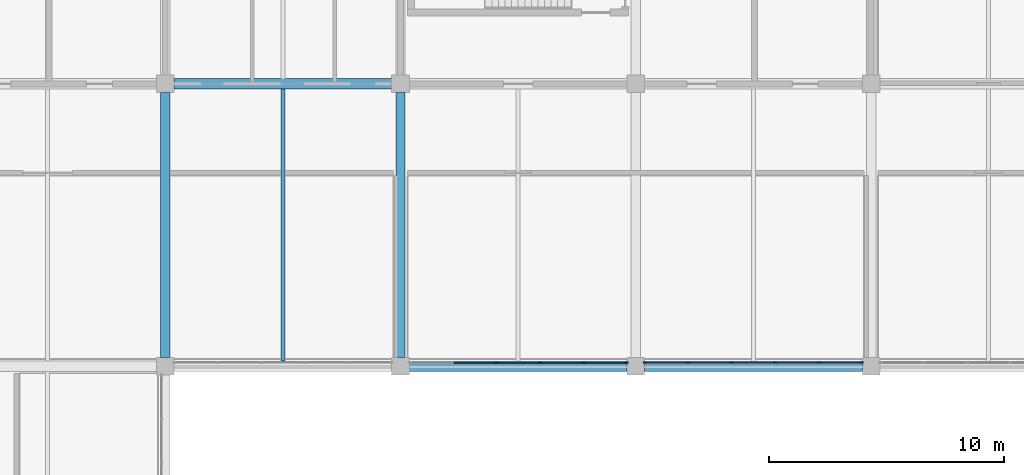
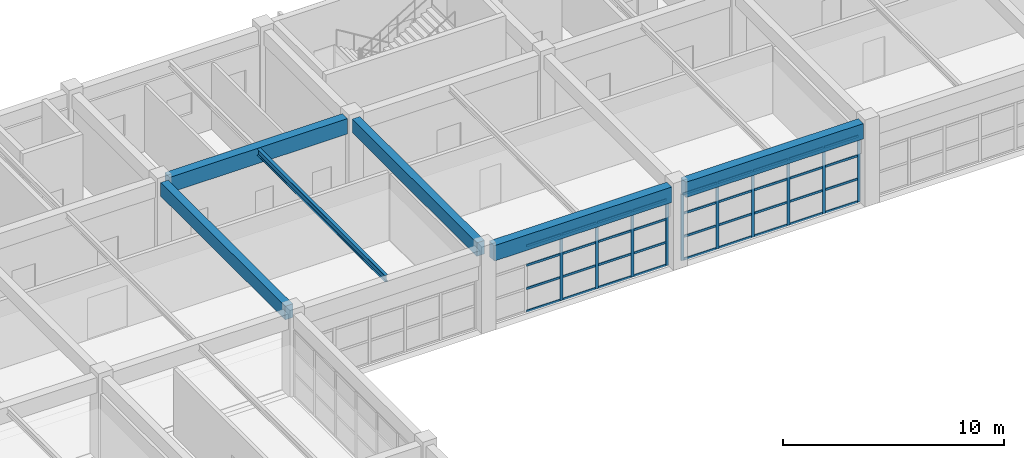
# One storey, part 57 of 109: 46 members, 6 beams, 2 elements without a shape of their own.
"""IFC4 building model written with IfcOpenShell, lengths in metres."""

from ifc_helpers import new_model, si_unit, direction, frame, origin, origin_2d, place, context, subcontext, project, spatial, rectangle, i_section, extrude, material, layer, layer_set, material_profile, profile_set, type_object, element, aggregate, save


model = new_model("IFC4")

# Units and contexts
model_context = context("Model", 3, precision=1e-05, world=origin(), true_north=direction((0.0, 1.0)))
body_context = subcontext(model_context, "Body", "Model", "MODEL_VIEW")
ifc_project = project(units=[si_unit("LENGTHUNIT", "METRE"), si_unit("AREAUNIT", "SQUARE_METRE"), si_unit("VOLUMEUNIT", "CUBIC_METRE"), si_unit("PLANEANGLEUNIT", "RADIAN"), si_unit("MASSUNIT", "GRAM", prefix="KILO")], contexts=[model_context])

# Site, building, storey
site_placement = place(None, origin())
site = spatial("IfcSite", under=ifc_project, at=site_placement, CompositionType="ELEMENT")
building_placement = place(site_placement, origin())
building = spatial("IfcBuilding", under=site, at=building_placement, Name="Kivolera Central Railway Station", CompositionType="ELEMENT")
storey_placement = place(building_placement, frame((0.0, 0.0, 9.60009765625)))
storey = spatial("IfcBuildingStorey", under=building, at=storey_placement, Name="L02", CompositionType="ELEMENT", Elevation=9.60009765625)

# Beams
ifc_material_1 = material(Name="Steel S355", Category="steel")
ifc_material_profile_1 = material_profile(ifc_material_1, i_section(OverallWidth=0.169921875, OverallDepth=0.360107421875, WebThickness=0.008056640625, FlangeThickness=0.0126953125, FilletRadius=0.01806640625, at=origin_2d()), Name="IPE 360")
ifc_profile_set_1 = profile_set([ifc_material_profile_1], Name="Steel S355")
beam_type_1 = type_object("IfcBeamType", Name="BM-JST-IPE360", PredefinedType="JOIST", material=ifc_profile_set_1)
beam_placement = place(storey_placement, frame((143.0, 114.217041015625, 4.327880859375), z_axis=(0.0, 1.0, 0.0), x_axis=(-1.0, 0.0, 0.0)))
element("IfcBeam", 1, at=beam_placement, inside=storey, type_object=beam_type_1, Name="L02 Floor Joist 14-15/K-L", PredefinedType="JOIST", context=body_context, shape_type="SweptSolid", body=[
    extrude(i_section(OverallWidth=0.169921875, OverallDepth=0.360107421875, WebThickness=0.008056640625, FlangeThickness=0.0126953125, FilletRadius=0.01806640625, at=origin_2d()), origin(), (0.0, 0.0, 1.0), 11.56591796875),
])
ifc_material_2 = material(Name="Concrete C40/50", Category="concrete")
ifc_material_profile_2 = material_profile(ifc_material_2, rectangle(XDim=0.39990234375, YDim=0.75, at=origin_2d()), Name="RC 400x750")
ifc_profile_set_2 = profile_set([ifc_material_profile_2], Name="Concrete C40/50")
beam_type_2 = type_object("IfcBeamType", Name="BM-RC-400x750", PredefinedType="BEAM", material=ifc_profile_set_2)
for number, where, z_axis, x_axis, name in (
    (2, (138.0, 114.366943359375, 4.14501953125), (0.0, 1.0, 0.0), (-1.0, 0.0, 0.0), "L02 Wing Y-Beam 14:K-L"),
    (3, (148.0, 114.366943359375, 4.14501953125), (0.0, 1.0, 0.0), (-1.0, 0.0, 0.0), "L02 Wing Y-Beam 15:K-L"),
):
    element("IfcBeam", number, at=place(storey_placement, frame(where, z_axis=z_axis, x_axis=x_axis)), inside=storey, type_object=beam_type_2, Name=name, PredefinedType="BEAM", context=body_context, shape_type="SweptSolid", body=[
        extrude(rectangle(XDim=0.39990234375, YDim=0.75, at=origin_2d()), origin(), (0.0, 0.0, 1.0), 11.26611328125),
    ])
ifc_material_profile_3 = material_profile(ifc_material_2, rectangle(XDim=0.449951171875, YDim=0.85009765625, at=origin_2d()), Name="RC 450x850")
ifc_profile_set_3 = profile_set([ifc_material_profile_3], Name="Concrete C40/50")
beam_type_3 = type_object("IfcBeamType", Name="BM-RC-450x850", PredefinedType="BEAM", material=ifc_profile_set_3)
for number, where, z_axis, x_axis, name in (
    (4, (148.366943359375, 114.0, 4.094970703125), (1.0, 0.0, 0.0), (0.0, 1.0, 0.0), "L02 Wing X-Beam K:15-16"),
    (5, (158.366943359375, 114.0, 4.094970703125), (1.0, 0.0, 0.0), (0.0, 1.0, 0.0), "L02 Wing X-Beam K:16-17"),
    (6, (138.366943359375, 126.0, 4.094970703125), (1.0, 0.0, 0.0), (0.0, 1.0, 0.0), "L02 Wing X-Beam L:14-15"),
):
    element("IfcBeam", number, at=place(storey_placement, frame(where, z_axis=z_axis, x_axis=x_axis)), inside=storey, type_object=beam_type_3, Name=name, PredefinedType="BEAM", context=body_context, shape_type="SweptSolid", body=[
        extrude(rectangle(XDim=0.449951171875, YDim=0.85009765625, at=origin_2d()), origin(), (0.0, 0.0, 1.0), 9.26611328125),
    ])

# Curtain wall, members
ifc_material_3 = material(Name="Anodised aluminium", Category="aluminium")
ifc_layer = layer(ifc_material_3, 0.179931640625, Name="Anodised aluminium")
ifc_layer_set = layer_set([ifc_layer], Name="Anodised aluminium")
curtain_wall_type = type_object("IfcCurtainWallType", Name="CW-SYS-27", PredefinedType="NOTDEFINED", material=ifc_layer_set)
curtain_wall_1_placement = place(storey_placement, origin())
curtain_wall_1 = element("IfcCurtainWall", 7, at=curtain_wall_1_placement, inside=storey, type_object=curtain_wall_type, Name="L02 Curtain Wall CW-L02-CRTN-148", PredefinedType="NOTDEFINED")
ifc_material_profile_4 = material_profile(ifc_material_3, rectangle(XDim=0.06005859375, YDim=0.14990234375, at=origin_2d()), Name="ALU MULL 60x150")
ifc_profile_set_4 = profile_set([ifc_material_profile_4], Name="Anodised aluminium")
member_type_1 = type_object("IfcMemberType", Name="CWM-MUL-2", PredefinedType="MULLION", material=ifc_profile_set_4)
member_1_placement = place(storey_placement, frame((157.60009765625, 114.153076171875, -0.005126953125), z_axis=(0.0, 0.0, 1.0), x_axis=(0.0, -1.0, 0.0)))
member_1 = element("IfcMember", 8, at=member_1_placement, type_object=member_type_1, Name="CW-27 mullion 1", PredefinedType="MULLION", context=body_context, shape_type="SweptSolid", body=[
    extrude(rectangle(XDim=0.06005859375, YDim=0.14990234375, at=origin_2d()), origin(), (0.0, 0.0, 1.0), 3.6630859375),
])
member_2_placement = place(storey_placement, frame((155.778076171875, 114.153076171875, -0.005126953125), z_axis=(0.0, 0.0, 1.0), x_axis=(0.0, -1.0, 0.0)))
member_2 = element("IfcMember", 9, at=member_2_placement, type_object=member_type_1, Name="CW-27 mullion 2", PredefinedType="MULLION", context=body_context, shape_type="SweptSolid", body=[
    extrude(rectangle(XDim=0.06005859375, YDim=0.14990234375, at=origin_2d()), origin(), (0.0, 0.0, 1.0), 3.6630859375),
])
member_3_placement = place(storey_placement, frame((153.926025390625, 114.153076171875, -0.005126953125), z_axis=(0.0, 0.0, 1.0), x_axis=(0.0, -1.0, 0.0)))
member_3 = element("IfcMember", 10, at=member_3_placement, type_object=member_type_1, Name="CW-27 mullion 3", PredefinedType="MULLION", context=body_context, shape_type="SweptSolid", body=[
    extrude(rectangle(XDim=0.06005859375, YDim=0.14990234375, at=origin_2d()), origin(), (0.0, 0.0, 1.0), 3.6630859375),
])
member_4_placement = place(storey_placement, frame((152.073974609375, 114.153076171875, -0.005126953125), z_axis=(0.0, 0.0, 1.0), x_axis=(0.0, -1.0, 0.0)))
member_4 = element("IfcMember", 11, at=member_4_placement, type_object=member_type_1, Name="CW-27 mullion 4", PredefinedType="MULLION", context=body_context, shape_type="SweptSolid", body=[
    extrude(rectangle(XDim=0.06005859375, YDim=0.14990234375, at=origin_2d()), origin(), (0.0, 0.0, 1.0), 3.6630859375),
])

curtain_wall_2_placement = place(storey_placement, origin())
curtain_wall_2 = element("IfcCurtainWall", 12, at=curtain_wall_2_placement, inside=storey, type_object=curtain_wall_type, Name="L02 Curtain Wall CW-L02-CRTN-158", PredefinedType="NOTDEFINED")
member_5_placement = place(storey_placement, frame((167.60009765625, 114.153076171875, -0.005126953125), z_axis=(0.0, 0.0, 1.0), x_axis=(0.0, -1.0, 0.0)))
member_5 = element("IfcMember", 13, at=member_5_placement, type_object=member_type_1, Name="CW-27 mullion 1", PredefinedType="MULLION", context=body_context, shape_type="SweptSolid", body=[
    extrude(rectangle(XDim=0.06005859375, YDim=0.14990234375, at=origin_2d()), origin(), (0.0, 0.0, 1.0), 3.6630859375),
])
member_6_placement = place(storey_placement, frame((165.778076171875, 114.153076171875, -0.005126953125), z_axis=(0.0, 0.0, 1.0), x_axis=(0.0, -1.0, 0.0)))
member_6 = element("IfcMember", 14, at=member_6_placement, type_object=member_type_1, Name="CW-27 mullion 2", PredefinedType="MULLION", context=body_context, shape_type="SweptSolid", body=[
    extrude(rectangle(XDim=0.06005859375, YDim=0.14990234375, at=origin_2d()), origin(), (0.0, 0.0, 1.0), 3.6630859375),
])
member_7_placement = place(storey_placement, frame((163.926025390625, 114.153076171875, -0.005126953125), z_axis=(0.0, 0.0, 1.0), x_axis=(0.0, -1.0, 0.0)))
member_7 = element("IfcMember", 15, at=member_7_placement, type_object=member_type_1, Name="CW-27 mullion 3", PredefinedType="MULLION", context=body_context, shape_type="SweptSolid", body=[
    extrude(rectangle(XDim=0.06005859375, YDim=0.14990234375, at=origin_2d()), origin(), (0.0, 0.0, 1.0), 3.6630859375),
])
member_8_placement = place(storey_placement, frame((162.073974609375, 114.153076171875, -0.005126953125), z_axis=(0.0, 0.0, 1.0), x_axis=(0.0, -1.0, 0.0)))
member_8 = element("IfcMember", 16, at=member_8_placement, type_object=member_type_1, Name="CW-27 mullion 4", PredefinedType="MULLION", context=body_context, shape_type="SweptSolid", body=[
    extrude(rectangle(XDim=0.06005859375, YDim=0.14990234375, at=origin_2d()), origin(), (0.0, 0.0, 1.0), 3.6630859375),
])
member_9_placement = place(storey_placement, frame((160.221923828125, 114.153076171875, -0.005126953125), z_axis=(0.0, 0.0, 1.0), x_axis=(0.0, -1.0, 0.0)))
member_9 = element("IfcMember", 17, at=member_9_placement, type_object=member_type_1, Name="CW-27 mullion 5", PredefinedType="MULLION", context=body_context, shape_type="SweptSolid", body=[
    extrude(rectangle(XDim=0.06005859375, YDim=0.14990234375, at=origin_2d()), origin(), (0.0, 0.0, 1.0), 3.6630859375),
])
member_10_placement = place(storey_placement, frame((158.39990234375, 114.153076171875, -0.005126953125), z_axis=(0.0, 0.0, 1.0), x_axis=(0.0, -1.0, 0.0)))
member_10 = element("IfcMember", 18, at=member_10_placement, type_object=member_type_1, Name="CW-27 mullion 6", PredefinedType="MULLION", context=body_context, shape_type="SweptSolid", body=[
    extrude(rectangle(XDim=0.06005859375, YDim=0.14990234375, at=origin_2d()), origin(), (0.0, 0.0, 1.0), 3.6630859375),
])

# Member
ifc_material_profile_5 = material_profile(ifc_material_3, rectangle(XDim=0.06005859375, YDim=0.1201171875, at=origin_2d()), Name="ALU TRAN 60x120")
ifc_profile_set_5 = profile_set([ifc_material_profile_5], Name="Anodised aluminium")
member_type_2 = type_object("IfcMemberType", Name="CWM-TRN-2", PredefinedType="USERDEFINED", material=ifc_profile_set_5)
member_11_placement = place(storey_placement, frame((157.570068359375, 114.153076171875, 0.02978515625), z_axis=(-1.0, 0.0, 0.0), x_axis=(0.0, -1.0, 0.0)))
member_11 = element("IfcMember", 19, at=member_11_placement, type_object=member_type_2, Name="CW-27 transom 1.1", ObjectType="TRANSOM", PredefinedType="USERDEFINED", context=body_context, shape_type="SweptSolid", body=[
    extrude(rectangle(XDim=0.06005859375, YDim=0.1201171875, at=origin_2d()), origin(), (0.0, 0.0, 1.0), 1.761962890625),
])

member_12_placement = place(storey_placement, frame((157.570068359375, 114.153076171875, 1.2802734375), z_axis=(-1.0, 0.0, 0.0), x_axis=(0.0, -1.0, 0.0)))
member_12 = element("IfcMember", 20, at=member_12_placement, type_object=member_type_2, Name="CW-27 transom 1.2", ObjectType="TRANSOM", PredefinedType="USERDEFINED", context=body_context, shape_type="SweptSolid", body=[
    extrude(rectangle(XDim=0.06005859375, YDim=0.1201171875, at=origin_2d()), origin(), (0.0, 0.0, 1.0), 1.761962890625),
])

member_13_placement = place(storey_placement, frame((157.570068359375, 114.153076171875, 2.560546875), z_axis=(-1.0, 0.0, 0.0), x_axis=(0.0, -1.0, 0.0)))
member_13 = element("IfcMember", 21, at=member_13_placement, type_object=member_type_2, Name="CW-27 transom 1.3", ObjectType="TRANSOM", PredefinedType="USERDEFINED", context=body_context, shape_type="SweptSolid", body=[
    extrude(rectangle(XDim=0.06005859375, YDim=0.1201171875, at=origin_2d()), origin(), (0.0, 0.0, 1.0), 1.761962890625),
])

member_14_placement = place(storey_placement, frame((157.570068359375, 114.153076171875, 3.6279296875), z_axis=(-1.0, 0.0, 0.0), x_axis=(0.0, -1.0, 0.0)))
member_14 = element("IfcMember", 22, at=member_14_placement, type_object=member_type_2, Name="CW-27 transom 1.4", ObjectType="TRANSOM", PredefinedType="USERDEFINED", context=body_context, shape_type="SweptSolid", body=[
    extrude(rectangle(XDim=0.06005859375, YDim=0.1201171875, at=origin_2d()), origin(), (0.0, 0.0, 1.0), 1.761962890625),
])

member_15_placement = place(storey_placement, frame((155.748046875, 114.153076171875, 0.02978515625), z_axis=(-1.0, 0.0, 0.0), x_axis=(0.0, -1.0, 0.0)))
member_15 = element("IfcMember", 23, at=member_15_placement, type_object=member_type_2, Name="CW-27 transom 2.1", ObjectType="TRANSOM", PredefinedType="USERDEFINED", context=body_context, shape_type="SweptSolid", body=[
    extrude(rectangle(XDim=0.06005859375, YDim=0.1201171875, at=origin_2d()), origin(), (0.0, 0.0, 1.0), 1.7919921875),
])

member_16_placement = place(storey_placement, frame((155.748046875, 114.153076171875, 1.2802734375), z_axis=(-1.0, 0.0, 0.0), x_axis=(0.0, -1.0, 0.0)))
member_16 = element("IfcMember", 24, at=member_16_placement, type_object=member_type_2, Name="CW-27 transom 2.2", ObjectType="TRANSOM", PredefinedType="USERDEFINED", context=body_context, shape_type="SweptSolid", body=[
    extrude(rectangle(XDim=0.06005859375, YDim=0.1201171875, at=origin_2d()), origin(), (0.0, 0.0, 1.0), 1.7919921875),
])

member_17_placement = place(storey_placement, frame((155.748046875, 114.153076171875, 2.560546875), z_axis=(-1.0, 0.0, 0.0), x_axis=(0.0, -1.0, 0.0)))
member_17 = element("IfcMember", 25, at=member_17_placement, type_object=member_type_2, Name="CW-27 transom 2.3", ObjectType="TRANSOM", PredefinedType="USERDEFINED", context=body_context, shape_type="SweptSolid", body=[
    extrude(rectangle(XDim=0.06005859375, YDim=0.1201171875, at=origin_2d()), origin(), (0.0, 0.0, 1.0), 1.7919921875),
])

member_18_placement = place(storey_placement, frame((155.748046875, 114.153076171875, 3.6279296875), z_axis=(-1.0, 0.0, 0.0), x_axis=(0.0, -1.0, 0.0)))
member_18 = element("IfcMember", 26, at=member_18_placement, type_object=member_type_2, Name="CW-27 transom 2.4", ObjectType="TRANSOM", PredefinedType="USERDEFINED", context=body_context, shape_type="SweptSolid", body=[
    extrude(rectangle(XDim=0.06005859375, YDim=0.1201171875, at=origin_2d()), origin(), (0.0, 0.0, 1.0), 1.7919921875),
])

member_19_placement = place(storey_placement, frame((153.89599609375, 114.153076171875, 0.02978515625), z_axis=(-1.0, 0.0, 0.0), x_axis=(0.0, -1.0, 0.0)))
member_19 = element("IfcMember", 27, at=member_19_placement, type_object=member_type_2, Name="CW-27 transom 3.1", ObjectType="TRANSOM", PredefinedType="USERDEFINED", context=body_context, shape_type="SweptSolid", body=[
    extrude(rectangle(XDim=0.06005859375, YDim=0.1201171875, at=origin_2d()), origin(), (0.0, 0.0, 1.0), 1.7919921875),
])

member_20_placement = place(storey_placement, frame((153.89599609375, 114.153076171875, 1.2802734375), z_axis=(-1.0, 0.0, 0.0), x_axis=(0.0, -1.0, 0.0)))
member_20 = element("IfcMember", 28, at=member_20_placement, type_object=member_type_2, Name="CW-27 transom 3.2", ObjectType="TRANSOM", PredefinedType="USERDEFINED", context=body_context, shape_type="SweptSolid", body=[
    extrude(rectangle(XDim=0.06005859375, YDim=0.1201171875, at=origin_2d()), origin(), (0.0, 0.0, 1.0), 1.7919921875),
])

member_21_placement = place(storey_placement, frame((153.89599609375, 114.153076171875, 2.560546875), z_axis=(-1.0, 0.0, 0.0), x_axis=(0.0, -1.0, 0.0)))
member_21 = element("IfcMember", 29, at=member_21_placement, type_object=member_type_2, Name="CW-27 transom 3.3", ObjectType="TRANSOM", PredefinedType="USERDEFINED", context=body_context, shape_type="SweptSolid", body=[
    extrude(rectangle(XDim=0.06005859375, YDim=0.1201171875, at=origin_2d()), origin(), (0.0, 0.0, 1.0), 1.7919921875),
])

member_22_placement = place(storey_placement, frame((153.89599609375, 114.153076171875, 3.6279296875), z_axis=(-1.0, 0.0, 0.0), x_axis=(0.0, -1.0, 0.0)))
member_22 = element("IfcMember", 30, at=member_22_placement, type_object=member_type_2, Name="CW-27 transom 3.4", ObjectType="TRANSOM", PredefinedType="USERDEFINED", context=body_context, shape_type="SweptSolid", body=[
    extrude(rectangle(XDim=0.06005859375, YDim=0.1201171875, at=origin_2d()), origin(), (0.0, 0.0, 1.0), 1.7919921875),
])

member_23_placement = place(storey_placement, frame((152.0439453125, 114.153076171875, 0.02978515625), z_axis=(-1.0, 0.0, 0.0), x_axis=(0.0, -1.0, 0.0)))
member_23 = element("IfcMember", 31, at=member_23_placement, type_object=member_type_2, Name="CW-27 transom 4.1", ObjectType="TRANSOM", PredefinedType="USERDEFINED", context=body_context, shape_type="SweptSolid", body=[
    extrude(rectangle(XDim=0.06005859375, YDim=0.1201171875, at=origin_2d()), origin(), (0.0, 0.0, 1.0), 1.7919921875),
])

member_24_placement = place(storey_placement, frame((152.0439453125, 114.153076171875, 1.2802734375), z_axis=(-1.0, 0.0, 0.0), x_axis=(0.0, -1.0, 0.0)))
member_24 = element("IfcMember", 32, at=member_24_placement, type_object=member_type_2, Name="CW-27 transom 4.2", ObjectType="TRANSOM", PredefinedType="USERDEFINED", context=body_context, shape_type="SweptSolid", body=[
    extrude(rectangle(XDim=0.06005859375, YDim=0.1201171875, at=origin_2d()), origin(), (0.0, 0.0, 1.0), 1.7919921875),
])

member_25_placement = place(storey_placement, frame((152.0439453125, 114.153076171875, 2.560546875), z_axis=(-1.0, 0.0, 0.0), x_axis=(0.0, -1.0, 0.0)))
member_25 = element("IfcMember", 33, at=member_25_placement, type_object=member_type_2, Name="CW-27 transom 4.3", ObjectType="TRANSOM", PredefinedType="USERDEFINED", context=body_context, shape_type="SweptSolid", body=[
    extrude(rectangle(XDim=0.06005859375, YDim=0.1201171875, at=origin_2d()), origin(), (0.0, 0.0, 1.0), 1.7919921875),
])

member_26_placement = place(storey_placement, frame((152.0439453125, 114.153076171875, 3.6279296875), z_axis=(-1.0, 0.0, 0.0), x_axis=(0.0, -1.0, 0.0)))
member_26 = element("IfcMember", 34, at=member_26_placement, type_object=member_type_2, Name="CW-27 transom 4.4", ObjectType="TRANSOM", PredefinedType="USERDEFINED", context=body_context, shape_type="SweptSolid", body=[
    extrude(rectangle(XDim=0.06005859375, YDim=0.1201171875, at=origin_2d()), origin(), (0.0, 0.0, 1.0), 1.7919921875),
])

aggregate(curtain_wall_1, [member_1, member_2, member_3, member_4, member_11, member_12, member_13, member_14, member_15, member_16, member_17, member_18, member_19, member_20, member_21, member_22, member_23, member_24, member_25, member_26])

member_27_placement = place(storey_placement, frame((167.570068359375, 114.153076171875, 0.02978515625), z_axis=(-1.0, 0.0, 0.0), x_axis=(0.0, -1.0, 0.0)))
member_27 = element("IfcMember", 35, at=member_27_placement, type_object=member_type_2, Name="CW-27 transom 1.1", ObjectType="TRANSOM", PredefinedType="USERDEFINED", context=body_context, shape_type="SweptSolid", body=[
    extrude(rectangle(XDim=0.06005859375, YDim=0.1201171875, at=origin_2d()), origin(), (0.0, 0.0, 1.0), 1.761962890625),
])

member_28_placement = place(storey_placement, frame((167.570068359375, 114.153076171875, 1.2802734375), z_axis=(-1.0, 0.0, 0.0), x_axis=(0.0, -1.0, 0.0)))
member_28 = element("IfcMember", 36, at=member_28_placement, type_object=member_type_2, Name="CW-27 transom 1.2", ObjectType="TRANSOM", PredefinedType="USERDEFINED", context=body_context, shape_type="SweptSolid", body=[
    extrude(rectangle(XDim=0.06005859375, YDim=0.1201171875, at=origin_2d()), origin(), (0.0, 0.0, 1.0), 1.761962890625),
])

member_29_placement = place(storey_placement, frame((167.570068359375, 114.153076171875, 2.560546875), z_axis=(-1.0, 0.0, 0.0), x_axis=(0.0, -1.0, 0.0)))
member_29 = element("IfcMember", 37, at=member_29_placement, type_object=member_type_2, Name="CW-27 transom 1.3", ObjectType="TRANSOM", PredefinedType="USERDEFINED", context=body_context, shape_type="SweptSolid", body=[
    extrude(rectangle(XDim=0.06005859375, YDim=0.1201171875, at=origin_2d()), origin(), (0.0, 0.0, 1.0), 1.761962890625),
])

member_30_placement = place(storey_placement, frame((167.570068359375, 114.153076171875, 3.6279296875), z_axis=(-1.0, 0.0, 0.0), x_axis=(0.0, -1.0, 0.0)))
member_30 = element("IfcMember", 38, at=member_30_placement, type_object=member_type_2, Name="CW-27 transom 1.4", ObjectType="TRANSOM", PredefinedType="USERDEFINED", context=body_context, shape_type="SweptSolid", body=[
    extrude(rectangle(XDim=0.06005859375, YDim=0.1201171875, at=origin_2d()), origin(), (0.0, 0.0, 1.0), 1.761962890625),
])

member_31_placement = place(storey_placement, frame((165.748046875, 114.153076171875, 0.02978515625), z_axis=(-1.0, 0.0, 0.0), x_axis=(0.0, -1.0, 0.0)))
member_31 = element("IfcMember", 39, at=member_31_placement, type_object=member_type_2, Name="CW-27 transom 2.1", ObjectType="TRANSOM", PredefinedType="USERDEFINED", context=body_context, shape_type="SweptSolid", body=[
    extrude(rectangle(XDim=0.06005859375, YDim=0.1201171875, at=origin_2d()), origin(), (0.0, 0.0, 1.0), 1.7919921875),
])

member_32_placement = place(storey_placement, frame((165.748046875, 114.153076171875, 1.2802734375), z_axis=(-1.0, 0.0, 0.0), x_axis=(0.0, -1.0, 0.0)))
member_32 = element("IfcMember", 40, at=member_32_placement, type_object=member_type_2, Name="CW-27 transom 2.2", ObjectType="TRANSOM", PredefinedType="USERDEFINED", context=body_context, shape_type="SweptSolid", body=[
    extrude(rectangle(XDim=0.06005859375, YDim=0.1201171875, at=origin_2d()), origin(), (0.0, 0.0, 1.0), 1.7919921875),
])

member_33_placement = place(storey_placement, frame((165.748046875, 114.153076171875, 2.560546875), z_axis=(-1.0, 0.0, 0.0), x_axis=(0.0, -1.0, 0.0)))
member_33 = element("IfcMember", 41, at=member_33_placement, type_object=member_type_2, Name="CW-27 transom 2.3", ObjectType="TRANSOM", PredefinedType="USERDEFINED", context=body_context, shape_type="SweptSolid", body=[
    extrude(rectangle(XDim=0.06005859375, YDim=0.1201171875, at=origin_2d()), origin(), (0.0, 0.0, 1.0), 1.7919921875),
])

member_34_placement = place(storey_placement, frame((165.748046875, 114.153076171875, 3.6279296875), z_axis=(-1.0, 0.0, 0.0), x_axis=(0.0, -1.0, 0.0)))
member_34 = element("IfcMember", 42, at=member_34_placement, type_object=member_type_2, Name="CW-27 transom 2.4", ObjectType="TRANSOM", PredefinedType="USERDEFINED", context=body_context, shape_type="SweptSolid", body=[
    extrude(rectangle(XDim=0.06005859375, YDim=0.1201171875, at=origin_2d()), origin(), (0.0, 0.0, 1.0), 1.7919921875),
])

member_35_placement = place(storey_placement, frame((163.89599609375, 114.153076171875, 0.02978515625), z_axis=(-1.0, 0.0, 0.0), x_axis=(0.0, -1.0, 0.0)))
member_35 = element("IfcMember", 43, at=member_35_placement, type_object=member_type_2, Name="CW-27 transom 3.1", ObjectType="TRANSOM", PredefinedType="USERDEFINED", context=body_context, shape_type="SweptSolid", body=[
    extrude(rectangle(XDim=0.06005859375, YDim=0.1201171875, at=origin_2d()), origin(), (0.0, 0.0, 1.0), 1.7919921875),
])

member_36_placement = place(storey_placement, frame((163.89599609375, 114.153076171875, 1.2802734375), z_axis=(-1.0, 0.0, 0.0), x_axis=(0.0, -1.0, 0.0)))
member_36 = element("IfcMember", 44, at=member_36_placement, type_object=member_type_2, Name="CW-27 transom 3.2", ObjectType="TRANSOM", PredefinedType="USERDEFINED", context=body_context, shape_type="SweptSolid", body=[
    extrude(rectangle(XDim=0.06005859375, YDim=0.1201171875, at=origin_2d()), origin(), (0.0, 0.0, 1.0), 1.7919921875),
])

member_37_placement = place(storey_placement, frame((163.89599609375, 114.153076171875, 2.560546875), z_axis=(-1.0, 0.0, 0.0), x_axis=(0.0, -1.0, 0.0)))
member_37 = element("IfcMember", 45, at=member_37_placement, type_object=member_type_2, Name="CW-27 transom 3.3", ObjectType="TRANSOM", PredefinedType="USERDEFINED", context=body_context, shape_type="SweptSolid", body=[
    extrude(rectangle(XDim=0.06005859375, YDim=0.1201171875, at=origin_2d()), origin(), (0.0, 0.0, 1.0), 1.7919921875),
])

member_38_placement = place(storey_placement, frame((163.89599609375, 114.153076171875, 3.6279296875), z_axis=(-1.0, 0.0, 0.0), x_axis=(0.0, -1.0, 0.0)))
member_38 = element("IfcMember", 46, at=member_38_placement, type_object=member_type_2, Name="CW-27 transom 3.4", ObjectType="TRANSOM", PredefinedType="USERDEFINED", context=body_context, shape_type="SweptSolid", body=[
    extrude(rectangle(XDim=0.06005859375, YDim=0.1201171875, at=origin_2d()), origin(), (0.0, 0.0, 1.0), 1.7919921875),
])

member_39_placement = place(storey_placement, frame((162.0439453125, 114.153076171875, 0.02978515625), z_axis=(-1.0, 0.0, 0.0), x_axis=(0.0, -1.0, 0.0)))
member_39 = element("IfcMember", 47, at=member_39_placement, type_object=member_type_2, Name="CW-27 transom 4.1", ObjectType="TRANSOM", PredefinedType="USERDEFINED", context=body_context, shape_type="SweptSolid", body=[
    extrude(rectangle(XDim=0.06005859375, YDim=0.1201171875, at=origin_2d()), origin(), (0.0, 0.0, 1.0), 1.7919921875),
])

member_40_placement = place(storey_placement, frame((162.0439453125, 114.153076171875, 1.2802734375), z_axis=(-1.0, 0.0, 0.0), x_axis=(0.0, -1.0, 0.0)))
member_40 = element("IfcMember", 48, at=member_40_placement, type_object=member_type_2, Name="CW-27 transom 4.2", ObjectType="TRANSOM", PredefinedType="USERDEFINED", context=body_context, shape_type="SweptSolid", body=[
    extrude(rectangle(XDim=0.06005859375, YDim=0.1201171875, at=origin_2d()), origin(), (0.0, 0.0, 1.0), 1.7919921875),
])

member_41_placement = place(storey_placement, frame((162.0439453125, 114.153076171875, 2.560546875), z_axis=(-1.0, 0.0, 0.0), x_axis=(0.0, -1.0, 0.0)))
member_41 = element("IfcMember", 49, at=member_41_placement, type_object=member_type_2, Name="CW-27 transom 4.3", ObjectType="TRANSOM", PredefinedType="USERDEFINED", context=body_context, shape_type="SweptSolid", body=[
    extrude(rectangle(XDim=0.06005859375, YDim=0.1201171875, at=origin_2d()), origin(), (0.0, 0.0, 1.0), 1.7919921875),
])

member_42_placement = place(storey_placement, frame((162.0439453125, 114.153076171875, 3.6279296875), z_axis=(-1.0, 0.0, 0.0), x_axis=(0.0, -1.0, 0.0)))
member_42 = element("IfcMember", 50, at=member_42_placement, type_object=member_type_2, Name="CW-27 transom 4.4", ObjectType="TRANSOM", PredefinedType="USERDEFINED", context=body_context, shape_type="SweptSolid", body=[
    extrude(rectangle(XDim=0.06005859375, YDim=0.1201171875, at=origin_2d()), origin(), (0.0, 0.0, 1.0), 1.7919921875),
])

member_43_placement = place(storey_placement, frame((160.19189453125, 114.153076171875, 0.02978515625), z_axis=(-1.0, 0.0, 0.0), x_axis=(0.0, -1.0, 0.0)))
member_43 = element("IfcMember", 51, at=member_43_placement, type_object=member_type_2, Name="CW-27 transom 5.1", ObjectType="TRANSOM", PredefinedType="USERDEFINED", context=body_context, shape_type="SweptSolid", body=[
    extrude(rectangle(XDim=0.06005859375, YDim=0.1201171875, at=origin_2d()), origin(), (0.0, 0.0, 1.0), 1.761962890625),
])

member_44_placement = place(storey_placement, frame((160.19189453125, 114.153076171875, 1.2802734375), z_axis=(-1.0, 0.0, 0.0), x_axis=(0.0, -1.0, 0.0)))
member_44 = element("IfcMember", 52, at=member_44_placement, type_object=member_type_2, Name="CW-27 transom 5.2", ObjectType="TRANSOM", PredefinedType="USERDEFINED", context=body_context, shape_type="SweptSolid", body=[
    extrude(rectangle(XDim=0.06005859375, YDim=0.1201171875, at=origin_2d()), origin(), (0.0, 0.0, 1.0), 1.761962890625),
])

member_45_placement = place(storey_placement, frame((160.19189453125, 114.153076171875, 2.560546875), z_axis=(-1.0, 0.0, 0.0), x_axis=(0.0, -1.0, 0.0)))
member_45 = element("IfcMember", 53, at=member_45_placement, type_object=member_type_2, Name="CW-27 transom 5.3", ObjectType="TRANSOM", PredefinedType="USERDEFINED", context=body_context, shape_type="SweptSolid", body=[
    extrude(rectangle(XDim=0.06005859375, YDim=0.1201171875, at=origin_2d()), origin(), (0.0, 0.0, 1.0), 1.761962890625),
])

member_46_placement = place(storey_placement, frame((160.19189453125, 114.153076171875, 3.6279296875), z_axis=(-1.0, 0.0, 0.0), x_axis=(0.0, -1.0, 0.0)))
member_46 = element("IfcMember", 54, at=member_46_placement, type_object=member_type_2, Name="CW-27 transom 5.4", ObjectType="TRANSOM", PredefinedType="USERDEFINED", context=body_context, shape_type="SweptSolid", body=[
    extrude(rectangle(XDim=0.06005859375, YDim=0.1201171875, at=origin_2d()), origin(), (0.0, 0.0, 1.0), 1.761962890625),
])

aggregate(curtain_wall_2, [member_5, member_6, member_7, member_8, member_9, member_10, member_27, member_28, member_29, member_30, member_31, member_32, member_33, member_34, member_35, member_36, member_37, member_38, member_39, member_40, member_41, member_42, member_43, member_44, member_45, member_46])

save(model, "model.ifc")
